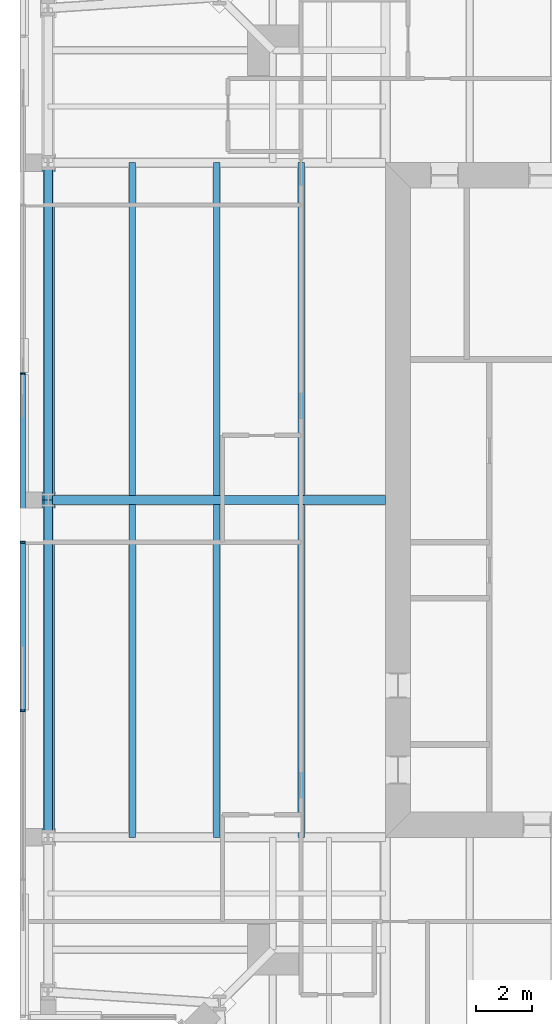
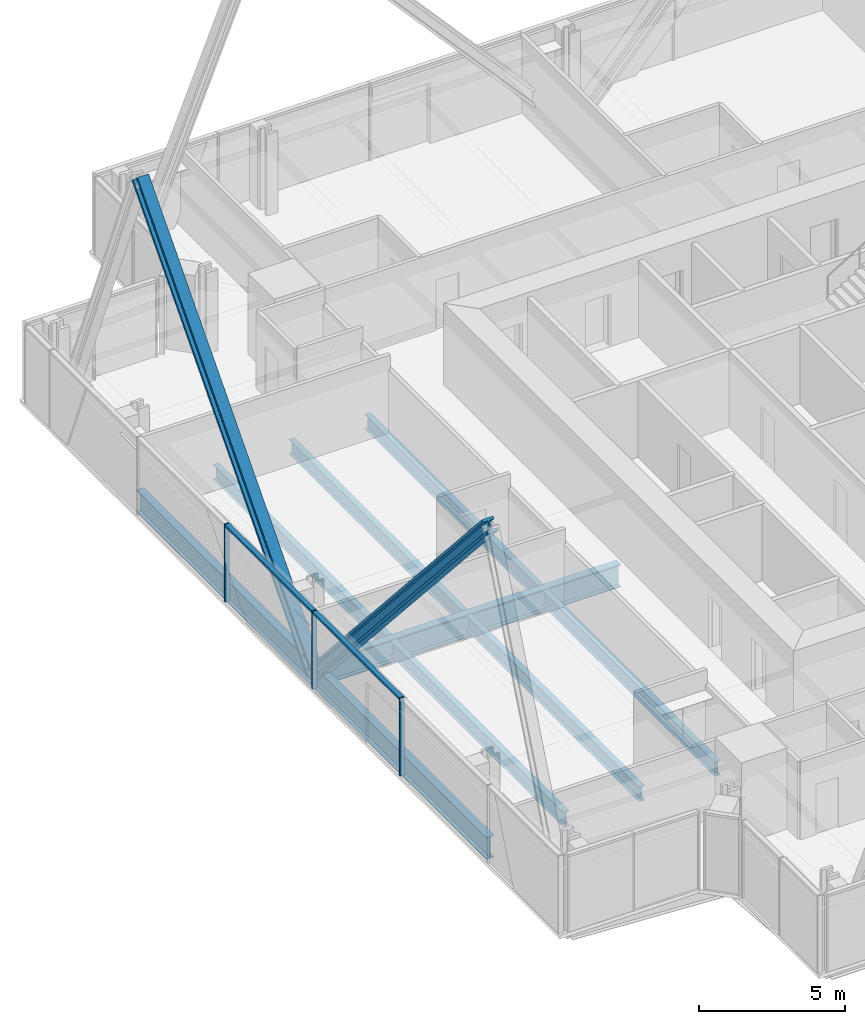
# One storey, part 4 of 19: 9 beams, 7 members, 1 element without a shape of its own.
"""IFC4 building model written with IfcOpenShell, lengths in metres."""

import ifcopenshell
import ifcopenshell.guid

model = None  # the IFC model being written
_history = None  # IfcOwnerHistory: only IFC2X3 demands one
_inside = {}  # id of a spatial element -> (the spatial element, [elements in it])
_under = {}  # id of a project, library or spatial element -> (it, [spatial elements below it])
_declared = {}  # id of a project -> (the project, [libraries it declares])
_typed = {}  # id of a type object -> (the type object, [elements of that type])
_made_of = {}  # id of a material, layer set ... -> (it, [elements and type objects made of it])


def new_model(schema):
    """Start an empty IFC model of exactly this schema.

    Asked for "IFC4X3", IfcOpenShell would pick the latest addendum, in which some entities
    have other attributes; the version numbers below select the first issue.
    IFC2X3 requires an IfcOwnerHistory on every rooted entity: one is made here for all.
    """
    global model, _history
    if schema == "IFC4X3":
        model = ifcopenshell.file(schema_version=(4, 3, 0, 0))
    else:
        model = ifcopenshell.file(schema=schema)
    _inside.clear()
    _under.clear()
    _declared.clear()
    _typed.clear()
    _made_of.clear()
    _history = None
    if model.schema == "IFC2X3":
        org = make("IfcOrganization", Name="unknown")
        user = make(
            "IfcPersonAndOrganization",
            ThePerson=make("IfcPerson", FamilyName="unknown"),
            TheOrganization=org,
        )
        app = make(
            "IfcApplication",
            ApplicationDeveloper=org,
            Version="unknown",
            ApplicationFullName="unknown",
            ApplicationIdentifier="unknown",
        )
        _history = make(
            "IfcOwnerHistory",
            OwningUser=user,
            OwningApplication=app,
            ChangeAction="ADDED",
            CreationDate=0,
        )
    return model


def make(cls, **values):
    """One entity of the class cls with the attributes given. An attribute that is None is left unset."""
    return model.create_entity(
        cls, **{name: value for name, value in values.items() if value is not None}
    )


def rooted(cls, **values):
    """An entity with a GlobalId (a new one), such as an element, a storey or a relation."""
    return make(cls, GlobalId=ifcopenshell.guid.new(), OwnerHistory=_history, **values)


def si_unit(unit_type, name, prefix=None):
    """IfcSIUnit, for example si_unit("LENGTHUNIT", "METRE", prefix="MILLI")."""
    return make("IfcSIUnit", UnitType=unit_type, Prefix=prefix, Name=name)


def assignment(units):
    """IfcUnitAssignment: the units of a project."""
    return None if units is None else make("IfcUnitAssignment", Units=units)


def point(xyz):
    """IfcCartesianPoint."""
    return None if xyz is None else make("IfcCartesianPoint", Coordinates=xyz)


def direction(xyz):
    """IfcDirection."""
    return None if xyz is None else make("IfcDirection", DirectionRatios=xyz)


def frame(location, z_axis=None, x_axis=None):
    """IfcAxis2Placement3D, a coordinate frame: its origin and axes. An axis left out is left unset."""
    return make(
        "IfcAxis2Placement3D",
        Location=point(location),
        Axis=direction(z_axis),
        RefDirection=direction(x_axis),
    )


def frame_2d(location, x_axis=None):
    """IfcAxis2Placement2D, a coordinate frame in the plane: its origin and x axis."""
    return make(
        "IfcAxis2Placement2D", Location=point(location), RefDirection=direction(x_axis)
    )


def origin():
    """The frame at (0, 0, 0) with its axes left unset."""
    return frame((0.0, 0.0, 0.0))


def origin_2d():
    """The frame at (0, 0) in the plane with its x axis left unset."""
    return frame_2d((0.0, 0.0))


def place(relative_to, where):
    """IfcLocalPlacement: puts the frame where relative to a parent placement (None: the world)."""
    return make(
        "IfcLocalPlacement", PlacementRelTo=relative_to, RelativePlacement=where
    )


def context(
    kind, dimensions, precision=None, world=None, true_north=None, identifier=None
):
    """IfcGeometricRepresentationContext, for example the 3D "Model" context."""
    return make(
        "IfcGeometricRepresentationContext",
        ContextIdentifier=identifier,
        ContextType=kind,
        CoordinateSpaceDimension=dimensions,
        Precision=precision,
        WorldCoordinateSystem=world,
        TrueNorth=true_north,
    )


def subcontext(parent, identifier, kind, view, scale=None):
    """IfcGeometricRepresentationSubContext, for example "Body" below "Model"."""
    return make(
        "IfcGeometricRepresentationSubContext",
        ContextIdentifier=identifier,
        ContextType=kind,
        ParentContext=parent,
        TargetScale=scale,
        TargetView=view,
    )


def project(units=None, contexts=None):
    """IfcProject with its units and contexts."""
    return rooted(
        "IfcProject",
        Name="project",
        RepresentationContexts=contexts,
        UnitsInContext=assignment(units),
    )


def spatial(cls, under=None, at=None, **own):
    """A site, building, storey or space (cls), placed at a placement, below another one or the project."""
    s = rooted(cls, ObjectPlacement=at, **own)
    if under is not None:
        _under.setdefault(under.id(), (under, []))[1].append(s)
    return s


def profile(cls, at=None, kind="AREA", **sizes):
    """A parametric profile (cls). Its sizes go by their IFC names, for example OverallWidth=200.0."""
    return make(cls, ProfileType=kind, Position=at, **sizes)


def rectangle(**sizes):
    """IfcRectangleProfileDef."""
    return profile("IfcRectangleProfileDef", **sizes)


def i_section(**sizes):
    """IfcIShapeProfileDef."""
    return profile("IfcIShapeProfileDef", **sizes)


def extrude(swept, where, along, depth):
    """IfcExtrudedAreaSolid: the profile swept, set in the frame where, extruded along a direction by depth."""
    return make(
        "IfcExtrudedAreaSolid",
        SweptArea=swept,
        Position=where,
        ExtrudedDirection=direction(along),
        Depth=depth,
    )


def shape(context_of_items, identifier, shape_type, items):
    """IfcShapeRepresentation: the items that make up one representation, for example the "Body"."""
    return make(
        "IfcShapeRepresentation",
        ContextOfItems=context_of_items,
        RepresentationIdentifier=identifier,
        RepresentationType=shape_type,
        Items=items,
    )


def material(Name=None, Category=None):
    """IfcMaterial."""
    return make("IfcMaterial", Name=Name, Category=Category)


def material_profile(
    of_material, cross_section, Name=None, Category=None, Priority=None
):
    """IfcMaterialProfile: a cross section and its material."""
    return make(
        "IfcMaterialProfile",
        Name=Name,
        Material=of_material,
        Profile=cross_section,
        Priority=Priority,
        Category=Category,
    )


def profile_set(profiles, Name=None, composite=None):
    """IfcMaterialProfileSet."""
    return make(
        "IfcMaterialProfileSet",
        Name=Name,
        MaterialProfiles=profiles,
        CompositeProfile=composite,
    )


def made_of(thing, what):
    """Note that an element or type object is made of a material, layer set ...; save() writes the relation."""
    if what is not None:
        _made_of.setdefault(what.id(), (what, []))[1].append(thing)
    return thing


def type_object(cls, material=None, **own):
    """A type object (cls), such as IfcWallType, which elements share."""
    return made_of(rooted(cls, **own), material)


def element(
    cls,
    number,
    at=None,
    inside=None,
    cuts=None,
    type_object=None,
    material=None,
    context=None,
    identifier="Body",
    shape_type=None,
    held_by="IfcProductDefinitionShape",
    body=None,
    shapes=None,
    **own,
):
    """One element of the class cls, such as IfcWall. Its Tag is "e" and its number.

    at: its placement. inside: the storey or other place that contains it. cuts: it is an
    opening in that element (IfcRelVoidsElement). A single representation is given by context,
    identifier, shape_type and body (its items); several are given by shapes. held_by: the class
    of the entity that holds the representations. save() writes the other relations.
    """
    e = rooted(cls, Tag="e%d" % number, ObjectPlacement=at, **own)
    if body is not None:
        shapes = [shape(context, identifier, shape_type, body)]
    if shapes is not None:
        e.Representation = make(held_by, Representations=shapes)
    if inside is not None:
        _inside.setdefault(inside.id(), (inside, []))[1].append(e)
    if cuts is not None:
        rooted(
            "IfcRelVoidsElement", RelatingBuildingElement=cuts, RelatedOpeningElement=e
        )
    if type_object is not None:
        _typed.setdefault(type_object.id(), (type_object, []))[1].append(e)
    return made_of(e, material)


def aggregate(whole, parts):
    """IfcRelAggregates: a whole, such as a stair, and the parts it consists of."""
    return rooted("IfcRelAggregates", RelatingObject=whole, RelatedObjects=parts)


def save(model, path):
    """Write the relations noted so far, then the file.

    IfcRelAggregates (storeys below a building ...), IfcRelContainedInSpatialStructure (elements
    in a storey), IfcRelDefinesByType, IfcRelAssociatesMaterial and IfcRelDeclares: one each for
    every whole, place, type object, material and project.
    """
    for whole, parts in _under.values():
        aggregate(whole, parts)
    for where, things in _inside.values():
        rooted(
            "IfcRelContainedInSpatialStructure",
            RelatedElements=things,
            RelatingStructure=where,
        )
    for kind, things in _typed.values():
        rooted("IfcRelDefinesByType", RelatedObjects=things, RelatingType=kind)
    for what, things in _made_of.values():
        rooted("IfcRelAssociatesMaterial", RelatedObjects=things, RelatingMaterial=what)
    for by, libraries in _declared.values():
        rooted("IfcRelDeclares", RelatingContext=by, RelatedDefinitions=libraries)
    model.write(path)


model = new_model("IFC4")

# Units and contexts
model_context = context("Model", 3, precision=1e-05, world=origin(), true_north=direction((0.0, 1.0)))
body_context = subcontext(model_context, "Body", "Model", "MODEL_VIEW")
ifc_project = project(units=[si_unit("LENGTHUNIT", "METRE"), si_unit("AREAUNIT", "SQUARE_METRE"), si_unit("VOLUMEUNIT", "CUBIC_METRE"), si_unit("PLANEANGLEUNIT", "RADIAN"), si_unit("MASSUNIT", "GRAM", prefix="KILO")], contexts=[model_context])

# Site, building, storey
site_placement = place(None, origin())
site = spatial("IfcSite", under=ifc_project, at=site_placement, CompositionType="ELEMENT")
building_placement = place(site_placement, origin())
building = spatial("IfcBuilding", under=site, at=building_placement, Name="Fenwick Lantern Interchange", CompositionType="ELEMENT")
storey_placement = place(building_placement, frame((0.0, 0.0, 283.199951171875)))
storey = spatial("IfcBuildingStorey", under=building, at=storey_placement, Name="L68", CompositionType="ELEMENT", Elevation=283.199951171875)

# Beams
ifc_material_1 = material(Name="Steel ASTM A992 Grade 50", Category="steel")
ifc_material_profile_1 = material_profile(ifc_material_1, i_section(OverallWidth=0.3046875, OverallDepth=0.911865234375, WebThickness=0.015869140625, FlangeThickness=0.02392578125, at=origin_2d()), Name="W36X150")
ifc_profile_set_1 = profile_set([ifc_material_profile_1], Name="Steel ASTM A992 Grade 50")
beam_type_1 = type_object("IfcBeamType", Name="EDGE BEAM W36X150", PredefinedType="SPANDREL", material=ifc_profile_set_1)
for number, where, z_axis, x_axis, name in (
    (1, (1.0, 37.0, -0.60595703125), (0.0, -1.0, 0.0), (1.0, 0.0, 0.0), "L68/FR/W/EB2"),
    (2, (1.0, 25.0, -0.60595703125), (0.0, -1.0, 0.0), (1.0, 0.0, 0.0), "L68/FR/W/EB3"),
):
    element("IfcBeam", number, at=place(storey_placement, frame(where, z_axis=z_axis, x_axis=x_axis)), inside=storey, type_object=beam_type_1, Name=name, PredefinedType="SPANDREL", context=body_context, shape_type="SweptSolid", body=[
        extrude(i_section(OverallWidth=0.3046875, OverallDepth=0.911865234375, WebThickness=0.015869140625, FlangeThickness=0.02392578125, at=origin_2d()), origin(), (0.0, 0.0, 1.0), 12.0),
    ])

# Members
ifc_material_profile_2 = material_profile(ifc_material_1, i_section(OverallWidth=0.44189453125, OverallDepth=0.53076171875, WebThickness=0.06591796875, FlangeThickness=0.105712890625, at=origin_2d()), Name="W14X605")
ifc_profile_set_2 = profile_set([ifc_material_profile_2], Name="Steel ASTM A992 Grade 50")
member_type_1 = type_object("IfcMemberType", Name="FACADE BRACE W14X605", PredefinedType="BRACE", material=ifc_profile_set_2)
for number, where, z_axis, x_axis, name in (
    (3, (1.0, 25.0, -0.60595703125), (0.0, 0.66476668545, 0.747051038361), (-1.0, 0.0, 0.0), "L68/FB/W/A"),
    (4, (1.0, 25.0, -0.60595703125), (0.0, -0.66476668545, 0.747051038361), (1.0, 0.0, 0.0), "L68/FB/W/B"),
):
    element("IfcMember", number, at=place(storey_placement, frame(where, z_axis=z_axis, x_axis=x_axis)), inside=storey, type_object=member_type_1, Name=name, PredefinedType="BRACE", context=body_context, shape_type="SweptSolid", body=[
        extrude(i_section(OverallWidth=0.44189453125, OverallDepth=0.53076171875, WebThickness=0.06591796875, FlangeThickness=0.105712890625, at=origin_2d()), origin(), (0.0, 0.0, 1.0), 18.051513671875),
    ])

# Beams
ifc_material_profile_3 = material_profile(ifc_material_1, i_section(OverallWidth=0.22900390625, OverallDepth=0.612060546875, WebThickness=0.011962890625, FlangeThickness=0.01953125, at=origin_2d()), Name="W24X84")
ifc_profile_set_3 = profile_set([ifc_material_profile_3], Name="Steel ASTM A992 Grade 50")
beam_type_2 = type_object("IfcBeamType", Name="FLOOR BEAM W24X84", PredefinedType="BEAM", material=ifc_profile_set_3)
for number, where, z_axis, x_axis, name in (
    (5, (4.0, 37.0, -0.4560546875), (0.0, -1.0, 0.0), (1.0, 0.0, 0.0), "L68/FR/W/B01"),
    (6, (7.0, 37.0, -0.4560546875), (0.0, -1.0, 0.0), (1.0, 0.0, 0.0), "L68/FR/W/B02"),
    (7, (10.0, 37.0, -0.4560546875), (0.0, -1.0, 0.0), (1.0, 0.0, 0.0), "L68/FR/W/B03"),
    (8, (4.0, 24.844970703125, -0.4560546875), (0.0, -1.0, 0.0), (1.0, 0.0, 0.0), "L68/FR/W/B04"),
    (9, (7.0, 24.844970703125, -0.4560546875), (0.0, -1.0, 0.0), (1.0, 0.0, 0.0), "L68/FR/W/B05"),
    (10, (10.0, 24.844970703125, -0.4560546875), (0.0, -1.0, 0.0), (1.0, 0.0, 0.0), "L68/FR/W/B06"),
):
    element("IfcBeam", number, at=place(storey_placement, frame(where, z_axis=z_axis, x_axis=x_axis)), inside=storey, type_object=beam_type_2, Name=name, PredefinedType="BEAM", context=body_context, shape_type="SweptSolid", body=[
        extrude(i_section(OverallWidth=0.22900390625, OverallDepth=0.612060546875, WebThickness=0.011962890625, FlangeThickness=0.01953125, at=origin_2d()), origin(), (0.0, 0.0, 1.0), 11.844970703125),
    ])

# Curtain wall, members
ifc_material_2 = material(Name="Aluminium curtain wall frame", Category="aluminium")
curtain_wall_type = type_object("IfcCurtainWallType", Name="HOTEL CURTAIN WALL", PredefinedType="USERDEFINED", material=ifc_material_2)
curtain_wall_placement = place(storey_placement, origin())
curtain_wall = element("IfcCurtainWall", 11, at=curtain_wall_placement, inside=storey, type_object=curtain_wall_type, Name="Hotel curtain wall 13", ObjectType="HOTEL CURTAIN WALL", PredefinedType="USERDEFINED")
ifc_material_3 = material(Name="Aluminium extrusion", Category="aluminium")
ifc_material_profile_4 = material_profile(ifc_material_3, rectangle(XDim=0.179931640625, YDim=0.06005859375, at=origin_2d()), Name="HOTEL CURTAIN WALL MULLION 60 X 180")
ifc_profile_set_4 = profile_set([ifc_material_profile_4], Name="Aluminium extrusion")
member_type_2 = type_object("IfcMemberType", Name="HOTEL CURTAIN WALL MULLION 60 X 180", PredefinedType="MULLION", material=ifc_profile_set_4)
member_1_placement = place(storey_placement, frame((0.10009765625, 29.5, 0.0), z_axis=(0.0, 0.0, 1.0), x_axis=(1.0, 0.0, 0.0)))
member_1 = element("IfcMember", 12, at=member_1_placement, type_object=member_type_2, Name="L68/CW/13/M03", PredefinedType="MULLION", context=body_context, shape_type="SweptSolid", body=[
    extrude(rectangle(XDim=0.179931640625, YDim=0.06005859375, at=origin_2d()), origin(), (0.0, 0.0, 1.0), 3.25),
])
member_2_placement = place(storey_placement, frame((0.10009765625, 23.5, 0.0), z_axis=(0.0, 0.0, 1.0), x_axis=(1.0, 0.0, 0.0)))
member_2 = element("IfcMember", 13, at=member_2_placement, type_object=member_type_2, Name="L68/CW/13/M04", PredefinedType="MULLION", context=body_context, shape_type="SweptSolid", body=[
    extrude(rectangle(XDim=0.179931640625, YDim=0.06005859375, at=origin_2d()), origin(), (0.0, 0.0, 1.0), 3.25),
])
member_3_placement = place(storey_placement, frame((0.10009765625, 17.5, 0.0), z_axis=(0.0, 0.0, 1.0), x_axis=(1.0, 0.0, 0.0)))
member_3 = element("IfcMember", 14, at=member_3_placement, type_object=member_type_2, Name="L68/CW/13/M05", PredefinedType="MULLION", context=body_context, shape_type="SweptSolid", body=[
    extrude(rectangle(XDim=0.179931640625, YDim=0.06005859375, at=origin_2d()), origin(), (0.0, 0.0, 1.0), 3.25),
])
ifc_material_profile_5 = material_profile(ifc_material_3, rectangle(XDim=0.179931640625, YDim=0.10009765625, at=origin_2d()), Name="HOTEL CURTAIN WALL TRANSOM 100 X 180")
ifc_profile_set_5 = profile_set([ifc_material_profile_5], Name="Aluminium extrusion")
member_type_3 = type_object("IfcMemberType", Name="HOTEL CURTAIN WALL TRANSOM 100 X 180", PredefinedType="MULLION", material=ifc_profile_set_5)
member_4_placement = place(storey_placement, frame((0.10009765625, 29.469970703125, 3.199951171875), z_axis=(0.0, -1.0, 0.0), x_axis=(1.0, 0.0, 0.0)))
member_4 = element("IfcMember", 15, at=member_4_placement, type_object=member_type_3, Name="L68/CW/13/T03", PredefinedType="MULLION", context=body_context, shape_type="SweptSolid", body=[
    extrude(rectangle(XDim=0.179931640625, YDim=0.10009765625, at=origin_2d()), origin(), (0.0, 0.0, 1.0), 5.93994140625),
])
member_5_placement = place(storey_placement, frame((0.10009765625, 23.469970703125, 3.199951171875), z_axis=(0.0, -1.0, 0.0), x_axis=(1.0, 0.0, 0.0)))
member_5 = element("IfcMember", 16, at=member_5_placement, type_object=member_type_3, Name="L68/CW/13/T04", PredefinedType="MULLION", context=body_context, shape_type="SweptSolid", body=[
    extrude(rectangle(XDim=0.179931640625, YDim=0.10009765625, at=origin_2d()), origin(), (0.0, 0.0, 1.0), 5.93994140625),
])
aggregate(curtain_wall, [member_1, member_2, member_3, member_4, member_5])

# Beam
ifc_material_profile_6 = material_profile(ifc_material_1, i_section(OverallWidth=0.309814453125, OverallDepth=0.949951171875, WebThickness=0.0244140625, FlangeThickness=0.0439453125, at=origin_2d()), Name="W36X256")
ifc_profile_set_6 = profile_set([ifc_material_profile_6], Name="Steel ASTM A992 Grade 50")
beam_type_3 = type_object("IfcBeamType", Name="MOMENT-CONNECTED GIRDER W36X256", PredefinedType="BEAM", material=ifc_profile_set_6)
beam_placement = place(storey_placement, frame((1.0, 25.0, -0.625), z_axis=(1.0, 0.0, 0.0), x_axis=(0.0, 1.0, 0.0)))
element("IfcBeam", 17, at=beam_placement, inside=storey, type_object=beam_type_3, Name="L68/FR/W/R02", PredefinedType="BEAM", context=body_context, shape_type="SweptSolid", body=[
    extrude(i_section(OverallWidth=0.309814453125, OverallDepth=0.949951171875, WebThickness=0.0244140625, FlangeThickness=0.0439453125, at=origin_2d()), origin(), (0.0, 0.0, 1.0), 12.0),
])

save(model, "model.ifc")
